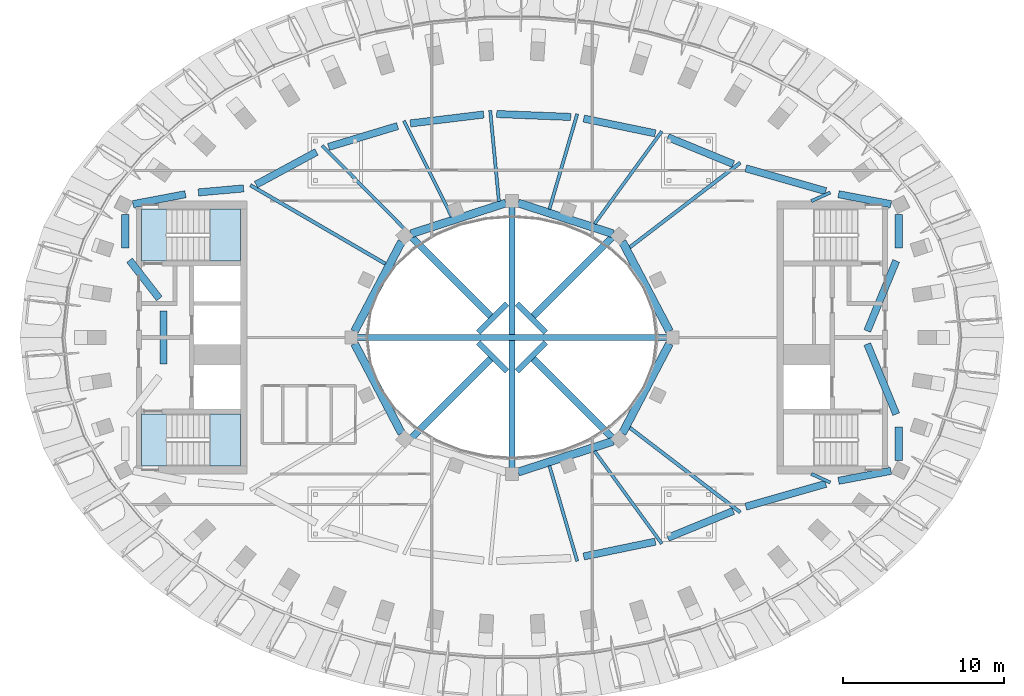
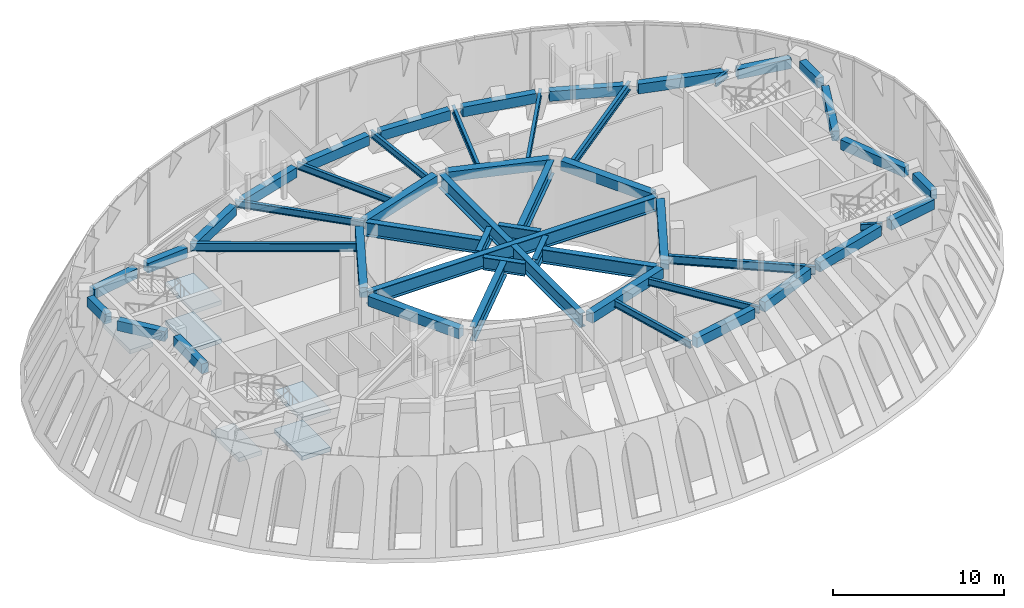
# One storey, part 2 of 13: 51 beams, 6 slabs, 2 elements without a shape of their own.
"""IFC4 building model written with IfcOpenShell, lengths in metres."""

from ifc_helpers import new_model, si_unit, direction, frame, origin, origin_2d, place, context, subcontext, project, spatial, polyline, rectangle, i_section, outline, extrude, material, layer, layer_set, material_profile, profile_set, type_object, element, aggregate, save


model = new_model("IFC4")

# Units and contexts
model_context = context("Model", 3, precision=1e-05, world=origin(), true_north=direction((0.0, 1.0)))
body_context = subcontext(model_context, "Body", "Model", "MODEL_VIEW")
ifc_project = project(units=[si_unit("LENGTHUNIT", "METRE"), si_unit("AREAUNIT", "SQUARE_METRE"), si_unit("VOLUMEUNIT", "CUBIC_METRE"), si_unit("PLANEANGLEUNIT", "RADIAN"), si_unit("MASSUNIT", "GRAM", prefix="KILO")], contexts=[model_context])

# Site, building, storey
site_placement = place(None, origin())
site = spatial("IfcSite", under=ifc_project, at=site_placement, CompositionType="ELEMENT")
building_placement = place(site_placement, origin())
building = spatial("IfcBuilding", under=site, at=building_placement, Name="Noorbagh Ring Tower", CompositionType="ELEMENT")
storey_placement = place(building_placement, frame((0.0, 0.0, 351.0)))
storey = spatial("IfcBuildingStorey", under=building, at=storey_placement, Name="L77", CompositionType="ELEMENT", Elevation=351.0)

# Beams
ifc_material_1 = material(Name="Steel S460", Category="steel")
ifc_material_profile_1 = material_profile(ifc_material_1, i_section(OverallWidth=0.35009765625, OverallDepth=0.89990234375, WebThickness=0.01806640625, FlangeThickness=0.031982421875, at=origin_2d()), Name="PG900x350x18x32")
ifc_profile_set_1 = profile_set([ifc_material_profile_1], Name="Steel S460")
beam_type_1 = type_object("IfcBeamType", Name="STR-HUB-RING-PG900x350x18x32-S460", PredefinedType="BEAM", material=ifc_profile_set_1)
for number, where, z_axis, x_axis, name in (
    (1, (2.100341796875, 0.3037109375, 4.75), (-0.707106781187, 0.707106781187, 0.0), (-0.707106781187, -0.707106781187, 0.0), "Hub ring beam"),
    (2, (-2.100341796875, 0.3037109375, 4.75), (0.707106781187, 0.707106781187, 0.0), (-0.707106781187, 0.707106781187, 0.0), "Hub ring beam"),
    (3, (-2.100341796875, -0.3037109375, 4.75), (0.707106781187, -0.707106781187, 0.0), (0.707106781187, 0.707106781187, 0.0), "Hub ring beam"),
    (4, (2.100341796875, -0.3037109375, 4.75), (-0.707106781187, -0.707106781187, 0.0), (0.707106781187, -0.707106781187, 0.0), "Hub ring beam"),
):
    element("IfcBeam", number, at=place(storey_placement, frame(where, z_axis=z_axis, x_axis=x_axis)), inside=storey, type_object=beam_type_1, Name=name, PredefinedType="BEAM", context=body_context, shape_type="SweptSolid", body=[
        extrude(i_section(OverallWidth=0.35009765625, OverallDepth=0.89990234375, WebThickness=0.01806640625, FlangeThickness=0.031982421875, at=origin_2d()), origin(), (0.0, 0.0, 1.0), 2.540771484375),
    ])
ifc_material_2 = material(Name="Steel S355", Category="steel")
ifc_material_profile_2 = material_profile(ifc_material_2, i_section(OverallWidth=0.199951171875, OverallDepth=0.5, WebThickness=0.01025390625, FlangeThickness=0.01611328125, FilletRadius=0.02099609375, at=origin_2d()), Name="IPE500")
ifc_profile_set_2 = profile_set([ifc_material_profile_2], Name="Steel S355")
beam_type_2 = type_object("IfcBeamType", Name="STR-RAD-IPE500", PredefinedType="BEAM", material=ifc_profile_set_2)
beam_1_placement = place(storey_placement, frame((19.82275390625, 9.03125, 4.949951171875), z_axis=(-0.909980551828, -0.414650931864, 0.0), x_axis=(0.414650931864, -0.909980551828, 0.0)))
element("IfcBeam", 5, at=beam_1_placement, inside=storey, type_object=beam_type_2, Name="L77/bm/RD05", PredefinedType="BEAM", context=body_context, shape_type="SweptSolid", body=[
    extrude(i_section(OverallWidth=0.199951171875, OverallDepth=0.5, WebThickness=0.01025390625, FlangeThickness=0.01611328125, FilletRadius=0.02099609375, at=origin_2d()), origin(), (0.0, 0.0, 1.0), 1.30126953125),
])
beam_2_placement = place(storey_placement, frame((9.3271484375, 12.838623046875, 4.949951171875), z_axis=(-0.587753757296, -0.809039875893, 0.0), x_axis=(0.809039875893, -0.587753757296, 0.0)))
element("IfcBeam", 6, at=beam_2_placement, inside=storey, type_object=beam_type_2, Name="L77/bm/RD09", PredefinedType="BEAM", context=body_context, shape_type="SweptSolid", body=[
    extrude(i_section(OverallWidth=0.199951171875, OverallDepth=0.5, WebThickness=0.01025390625, FlangeThickness=0.01611328125, FilletRadius=0.02099609375, at=origin_2d()), origin(), (0.0, 0.0, 1.0), 7.12158203125),
])
beam_3_placement = place(storey_placement, frame((4.06201171875, 13.9267578125, 4.949951171875), z_axis=(-0.280018186332, -0.959994695466, 0.0), x_axis=(0.959994695466, -0.280018186332, 0.0)))
element("IfcBeam", 7, at=beam_3_placement, inside=storey, type_object=beam_type_2, Name="L77/bm/RD11", PredefinedType="BEAM", context=body_context, shape_type="SweptSolid", body=[
    extrude(i_section(OverallWidth=0.199951171875, OverallDepth=0.5, WebThickness=0.01025390625, FlangeThickness=0.01611328125, FilletRadius=0.02099609375, at=origin_2d()), origin(), (0.0, 0.0, 1.0), 6.18603515625),
])
beam_4_placement = place(storey_placement, frame((-1.358154296875, 14.14306640625, 4.949951171875), z_axis=(0.095580739137, -0.995421680649, 0.0), x_axis=(0.995421680649, 0.095580739137, 0.0)))
element("IfcBeam", 8, at=beam_4_placement, inside=storey, type_object=beam_type_2, Name="L77/bm/RD13", PredefinedType="BEAM", context=body_context, shape_type="SweptSolid", body=[
    extrude(i_section(OverallWidth=0.199951171875, OverallDepth=0.5, WebThickness=0.01025390625, FlangeThickness=0.01611328125, FilletRadius=0.02099609375, at=origin_2d()), origin(), (0.0, 0.0, 1.0), 5.6884765625),
])
beam_5_placement = place(storey_placement, frame((-6.7275390625, 13.4931640625, 4.949951171875), z_axis=(0.446173296336, -0.894946584795, 0.0), x_axis=(0.894946584795, 0.446173296336, 0.0)))
element("IfcBeam", 9, at=beam_5_placement, inside=storey, type_object=beam_type_2, Name="L77/bm/RD15", PredefinedType="BEAM", context=body_context, shape_type="SweptSolid", body=[
    extrude(i_section(OverallWidth=0.199951171875, OverallDepth=0.5, WebThickness=0.01025390625, FlangeThickness=0.01611328125, FilletRadius=0.02099609375, at=origin_2d()), origin(), (0.0, 0.0, 1.0), 6.6669921875),
])
beam_6_placement = place(storey_placement, frame((-11.827880859375, 11.95947265625, 4.949951171875), z_axis=(0.703176112375, -0.711015720631, 0.0), x_axis=(0.711015720631, 0.703176112375, 0.0)))
element("IfcBeam", 10, at=beam_6_placement, inside=storey, type_object=beam_type_2, Name="L77/bm/RD17", PredefinedType="BEAM", context=body_context, shape_type="SweptSolid", body=[
    extrude(i_section(OverallWidth=0.199951171875, OverallDepth=0.5, WebThickness=0.01025390625, FlangeThickness=0.01611328125, FilletRadius=0.02099609375, at=origin_2d()), origin(), (0.0, 0.0, 1.0), 7.972412109375),
])
beam_7_placement = place(storey_placement, frame((4.06201171875, -13.9267578125, 4.949951171875), z_axis=(-0.280018186332, 0.959994695466, 0.0), x_axis=(-0.959994695466, -0.280018186332, 0.0)))
element("IfcBeam", 11, at=beam_7_placement, inside=storey, type_object=beam_type_2, Name="L77/bm/RD37", PredefinedType="BEAM", context=body_context, shape_type="SweptSolid", body=[
    extrude(i_section(OverallWidth=0.199951171875, OverallDepth=0.5, WebThickness=0.01025390625, FlangeThickness=0.01611328125, FilletRadius=0.02099609375, at=origin_2d()), origin(), (0.0, 0.0, 1.0), 6.18603515625),
])
beam_8_placement = place(storey_placement, frame((9.3271484375, -12.838623046875, 4.949951171875), z_axis=(-0.587753757296, 0.809039875893, 0.0), x_axis=(-0.809039875893, -0.587753757296, 0.0)))
element("IfcBeam", 12, at=beam_8_placement, inside=storey, type_object=beam_type_2, Name="L77/bm/RD39", PredefinedType="BEAM", context=body_context, shape_type="SweptSolid", body=[
    extrude(i_section(OverallWidth=0.199951171875, OverallDepth=0.5, WebThickness=0.01025390625, FlangeThickness=0.01611328125, FilletRadius=0.02099609375, at=origin_2d()), origin(), (0.0, 0.0, 1.0), 7.12158203125),
])
beam_9_placement = place(storey_placement, frame((19.82275390625, -9.03125, 4.949951171875), z_axis=(-0.909980551828, 0.414650931864, 0.0), x_axis=(-0.414650931864, -0.909980551828, 0.0)))
element("IfcBeam", 13, at=beam_9_placement, inside=storey, type_object=beam_type_2, Name="L77/bm/RD43", PredefinedType="BEAM", context=body_context, shape_type="SweptSolid", body=[
    extrude(i_section(OverallWidth=0.199951171875, OverallDepth=0.5, WebThickness=0.01025390625, FlangeThickness=0.01611328125, FilletRadius=0.02099609375, at=origin_2d()), origin(), (0.0, 0.0, 1.0), 1.30126953125),
])
ifc_material_3 = material(Name="Steel S355", Category="steel")
ifc_material_profile_3 = material_profile(ifc_material_3, i_section(OverallWidth=0.219970703125, OverallDepth=0.60009765625, WebThickness=0.011962890625, FlangeThickness=0.01904296875, FilletRadius=0.02392578125, at=origin_2d()), Name="IPE600")
ifc_profile_set_3 = profile_set([ifc_material_profile_3], Name="Steel S355")
beam_type_3 = type_object("IfcBeamType", Name="STR-RAD-IPE600", PredefinedType="BEAM", material=ifc_profile_set_3)
beam_10_placement = place(storey_placement, frame((14.21923828125, 10.88720703125, 4.89990234375), z_axis=(-0.79398265631, -0.60794040948, 0.0), x_axis=(0.60794040948, -0.79398265631, 0.0)))
element("IfcBeam", 14, at=beam_10_placement, inside=storey, type_object=beam_type_3, Name="L77/bm/RD07", PredefinedType="BEAM", context=body_context, shape_type="SweptSolid", body=[
    extrude(i_section(OverallWidth=0.219970703125, OverallDepth=0.60009765625, WebThickness=0.011962890625, FlangeThickness=0.01904296875, FilletRadius=0.02392578125, at=origin_2d()), origin(), (0.0, 0.0, 1.0), 8.684814453125),
])
beam_11_placement = place(storey_placement, frame((-16.293212890625, 9.484375, 4.89990234375), z_axis=(0.864242476598, -0.503075483047, 0.0), x_axis=(0.503075483047, 0.864242476598, 0.0)))
element("IfcBeam", 15, at=beam_11_placement, inside=storey, type_object=beam_type_3, Name="L77/bm/RD19", PredefinedType="BEAM", context=body_context, shape_type="SweptSolid", body=[
    extrude(i_section(OverallWidth=0.219970703125, OverallDepth=0.60009765625, WebThickness=0.011962890625, FlangeThickness=0.01904296875, FilletRadius=0.02392578125, at=origin_2d()), origin(), (0.0, 0.0, 1.0), 9.7529296875),
])
beam_12_placement = place(storey_placement, frame((14.21923828125, -10.88720703125, 4.89990234375), z_axis=(-0.79398265631, 0.60794040948, 0.0), x_axis=(-0.60794040948, -0.79398265631, 0.0)))
element("IfcBeam", 16, at=beam_12_placement, inside=storey, type_object=beam_type_3, Name="L77/bm/RD41", PredefinedType="BEAM", context=body_context, shape_type="SweptSolid", body=[
    extrude(i_section(OverallWidth=0.219970703125, OverallDepth=0.60009765625, WebThickness=0.011962890625, FlangeThickness=0.01904296875, FilletRadius=0.02392578125, at=origin_2d()), origin(), (0.0, 0.0, 1.0), 8.684814453125),
])
ifc_material_4 = material(Name="Concrete C40/50", Category="concrete")
ifc_material_profile_4 = material_profile(ifc_material_4, rectangle(XDim=0.5, YDim=0.699951171875, at=origin_2d()), Name="RC500x700")
ifc_profile_set_4 = profile_set([ifc_material_profile_4], Name="Concrete C40/50")
beam_type_4 = type_object("IfcBeamType", Name="STR-RB-RC500x700-C40-50", PredefinedType="BEAM", material=ifc_profile_set_4)
beam_13_placement = place(storey_placement, frame((9.8076171875, 0.38232421875, 4.85009765625), z_axis=(-0.464943021964, 0.885340604698, 0.0), x_axis=(-0.885340604698, -0.464943021964, 0.0)))
element("IfcBeam", 17, at=beam_13_placement, inside=storey, type_object=beam_type_4, Name="L77/bm/RG01", PredefinedType="BEAM", context=body_context, shape_type="SweptSolid", body=[
    extrude(rectangle(XDim=0.5, YDim=0.699951171875, at=origin_2d()), origin(), (0.0, 0.0, 1.0), 6.313720703125),
])
for number, where, z_axis, x_axis, name in (
    (18, (6.286865234375, 6.462158203125, 4.85009765625), (-0.951150444931, 0.308727762126, 0.0), (-0.308727762126, -0.951150444931, 0.0), "L77/bm/RG03"),
    (19, (-0.380859375, 8.379150390625, 4.85009765625), (-0.951150444931, -0.308727762126, 0.0), (0.308727762126, -0.951150444931, 0.0), "L77/bm/RG05"),
):
    element("IfcBeam", number, at=place(storey_placement, frame(where, z_axis=z_axis, x_axis=x_axis)), inside=storey, type_object=beam_type_4, Name=name, PredefinedType="BEAM", context=body_context, shape_type="SweptSolid", body=[
        extrude(rectangle(XDim=0.5, YDim=0.699951171875, at=origin_2d()), origin(), (0.0, 0.0, 1.0), 6.209228515625),
    ])
for number, where, z_axis, x_axis, name in (
    (20, (-6.8720703125, 5.97216796875, 4.85009765625), (-0.464943021964, -0.885340604698, 0.0), (0.885340604698, -0.464943021964, 0.0), "L77/bm/RG07"),
    (21, (-9.8076171875, -0.38232421875, 4.85009765625), (0.464943021964, -0.885340604698, 0.0), (0.885340604698, 0.464943021964, 0.0), "L77/bm/RG09"),
):
    element("IfcBeam", number, at=place(storey_placement, frame(where, z_axis=z_axis, x_axis=x_axis)), inside=storey, type_object=beam_type_4, Name=name, PredefinedType="BEAM", context=body_context, shape_type="SweptSolid", body=[
        extrude(rectangle(XDim=0.5, YDim=0.699951171875, at=origin_2d()), origin(), (0.0, 0.0, 1.0), 6.313720703125),
    ])
beam_14_placement = place(storey_placement, frame((0.380859375, -8.379150390625, 4.85009765625), z_axis=(0.951150444931, 0.308727762126, 0.0), x_axis=(-0.308727762126, 0.951150444931, 0.0)))
element("IfcBeam", 22, at=beam_14_placement, inside=storey, type_object=beam_type_4, Name="L77/bm/RG13", PredefinedType="BEAM", context=body_context, shape_type="SweptSolid", body=[
    extrude(rectangle(XDim=0.5, YDim=0.699951171875, at=origin_2d()), origin(), (0.0, 0.0, 1.0), 6.209228515625),
])
beam_15_placement = place(storey_placement, frame((6.8720703125, -5.97216796875, 4.85009765625), z_axis=(0.464943021964, 0.885340604698, 0.0), x_axis=(-0.885340604698, 0.464943021964, 0.0)))
element("IfcBeam", 23, at=beam_15_placement, inside=storey, type_object=beam_type_4, Name="L77/bm/RG15", PredefinedType="BEAM", context=body_context, shape_type="SweptSolid", body=[
    extrude(rectangle(XDim=0.5, YDim=0.699951171875, at=origin_2d()), origin(), (0.0, 0.0, 1.0), 6.313720703125),
])
ifc_material_5 = material(Name="Concrete C40/50", Category="concrete")
ifc_material_profile_5 = material_profile(ifc_material_5, rectangle(XDim=0.449951171875, YDim=0.699951171875, at=origin_2d()), Name="RC450x700")
ifc_profile_set_5 = profile_set([ifc_material_profile_5], Name="Concrete C40/50")
beam_type_5 = type_object("IfcBeamType", Name="STR-SB-RC450x700-C40-50", PredefinedType="BEAM", material=ifc_profile_set_5)
beam_16_placement = place(storey_placement, frame((22.1240234375, 0.406494140625, 4.85009765625), z_axis=(0.381540251246, 0.924352225442, 0.0), x_axis=(-0.924352225442, 0.381540251246, 0.0)))
element("IfcBeam", 24, at=beam_16_placement, inside=storey, type_object=beam_type_5, Name="L77/bm/SP01", PredefinedType="BEAM", context=body_context, shape_type="SweptSolid", body=[
    extrude(rectangle(XDim=0.449951171875, YDim=0.699951171875, at=origin_2d()), origin(), (0.0, 0.0, 1.0), 4.7216796875),
])
beam_17_placement = place(storey_placement, frame((24.080078125, 5.581298828125, 4.85009765625), z_axis=(0.0, 1.0, 0.0), x_axis=(-1.0, 0.0, 0.0)))
element("IfcBeam", 25, at=beam_17_placement, inside=storey, type_object=beam_type_5, Name="L77/bm/SP03", PredefinedType="BEAM", context=body_context, shape_type="SweptSolid", body=[
    extrude(rectangle(XDim=0.449951171875, YDim=0.699951171875, at=origin_2d()), origin(), (0.0, 0.0, 1.0), 2.07177734375),
])
beam_18_placement = place(storey_placement, frame((23.6064453125, 8.303466796875, 4.85009765625), z_axis=(-0.982485136556, 0.186340968247, 0.0), x_axis=(-0.186340968247, -0.982485136556, 0.0)))
element("IfcBeam", 26, at=beam_18_placement, inside=storey, type_object=beam_type_5, Name="L77/bm/SP04", PredefinedType="BEAM", context=body_context, shape_type="SweptSolid", body=[
    extrude(rectangle(XDim=0.449951171875, YDim=0.699951171875, at=origin_2d()), origin(), (0.0, 0.0, 1.0), 3.331787109375),
])
beam_19_placement = place(storey_placement, frame((19.54150390625, 9.1123046875, 4.85009765625), z_axis=(-0.961582592243, 0.27451578879, 0.0), x_axis=(-0.27451578879, -0.961582592243, 0.0)))
element("IfcBeam", 27, at=beam_19_placement, inside=storey, type_object=beam_type_5, Name="L77/bm/SP05", PredefinedType="BEAM", context=body_context, shape_type="SweptSolid", body=[
    extrude(rectangle(XDim=0.449951171875, YDim=0.699951171875, at=origin_2d()), origin(), (0.0, 0.0, 1.0), 5.18212890625),
])
beam_20_placement = place(storey_placement, frame((13.781982421875, 10.803466796875, 4.85009765625), z_axis=(-0.92527231731, 0.379303491705, 0.0), x_axis=(-0.379303491705, -0.92527231731, 0.0)))
element("IfcBeam", 28, at=beam_20_placement, inside=storey, type_object=beam_type_5, Name="L77/bm/SP07", PredefinedType="BEAM", context=body_context, shape_type="SweptSolid", body=[
    extrude(rectangle(XDim=0.449951171875, YDim=0.699951171875, at=origin_2d()), origin(), (0.0, 0.0, 1.0), 4.40771484375),
])
beam_21_placement = place(storey_placement, frame((8.928955078125, 12.712158203125, 4.85009765625), z_axis=(-0.979208361256, 0.20285705619, 0.0), x_axis=(-0.20285705619, -0.979208361256, 0.0)))
element("IfcBeam", 29, at=beam_21_placement, inside=storey, type_object=beam_type_5, Name="L77/bm/SP09", PredefinedType="BEAM", context=body_context, shape_type="SweptSolid", body=[
    extrude(rectangle(XDim=0.449951171875, YDim=0.699951171875, at=origin_2d()), origin(), (0.0, 0.0, 1.0), 4.558837890625),
])
beam_22_placement = place(storey_placement, frame((3.660888671875, 13.735595703125, 4.85009765625), z_axis=(-0.999205427793, 0.039856154714, 0.0), x_axis=(-0.039856154714, -0.999205427793, 0.0)))
element("IfcBeam", 30, at=beam_22_placement, inside=storey, type_object=beam_type_5, Name="L77/bm/SP11", PredefinedType="BEAM", context=body_context, shape_type="SweptSolid", body=[
    extrude(rectangle(XDim=0.449951171875, YDim=0.699951171875, at=origin_2d()), origin(), (0.0, 0.0, 1.0), 4.61865234375),
])
beam_23_placement = place(storey_placement, frame((-1.763427734375, 13.88720703125, 4.85009765625), z_axis=(-0.99272609362, -0.120394779976, 0.0), x_axis=(0.120394779976, -0.99272609362, 0.0)))
element("IfcBeam", 31, at=beam_23_placement, inside=storey, type_object=beam_type_5, Name="L77/bm/SP13", PredefinedType="BEAM", context=body_context, shape_type="SweptSolid", body=[
    extrude(rectangle(XDim=0.449951171875, YDim=0.699951171875, at=origin_2d()), origin(), (0.0, 0.0, 1.0), 4.59912109375),
])
beam_24_placement = place(storey_placement, frame((-7.121826171875, 13.167236328125, 4.85009765625), z_axis=(-0.957430830059, -0.288662788827, 0.0), x_axis=(0.288662788827, -0.957430830059, 0.0)))
element("IfcBeam", 32, at=beam_24_placement, inside=storey, type_object=beam_type_5, Name="L77/bm/SP15", PredefinedType="BEAM", context=body_context, shape_type="SweptSolid", body=[
    extrude(rectangle(XDim=0.449951171875, YDim=0.699951171875, at=origin_2d()), origin(), (0.0, 0.0, 1.0), 4.49609375),
])
beam_25_placement = place(storey_placement, frame((-12.174560546875, 11.557861328125, 4.85009765625), z_axis=(-0.879504728463, -0.47589014763, 0.0), x_axis=(0.47589014763, -0.879504728463, 0.0)))
element("IfcBeam", 33, at=beam_25_placement, inside=storey, type_object=beam_type_5, Name="L77/bm/SP17", PredefinedType="BEAM", context=body_context, shape_type="SweptSolid", body=[
    extrude(rectangle(XDim=0.449951171875, YDim=0.699951171875, at=origin_2d()), origin(), (0.0, 0.0, 1.0), 4.283203125),
])
beam_26_placement = place(storey_placement, frame((-16.718017578125, 9.285400390625, 4.85009765625), z_axis=(-0.996088552259, -0.088360602414, 0.0), x_axis=(0.088360602414, -0.996088552259, 0.0)))
element("IfcBeam", 34, at=beam_26_placement, inside=storey, type_object=beam_type_5, Name="L77/bm/SP19", PredefinedType="BEAM", context=body_context, shape_type="SweptSolid", body=[
    extrude(rectangle(XDim=0.449951171875, YDim=0.699951171875, at=origin_2d()), origin(), (0.0, 0.0, 1.0), 2.82373046875),
])
beam_27_placement = place(storey_placement, frame((-20.3330078125, 8.92431640625, 4.85009765625), z_axis=(-0.982485136556, -0.186340968247, 0.0), x_axis=(0.186340968247, -0.982485136556, 0.0)))
element("IfcBeam", 35, at=beam_27_placement, inside=storey, type_object=beam_type_5, Name="L77/bm/SP20", PredefinedType="BEAM", context=body_context, shape_type="SweptSolid", body=[
    extrude(rectangle(XDim=0.449951171875, YDim=0.699951171875, at=origin_2d()), origin(), (0.0, 0.0, 1.0), 3.331787109375),
])
beam_28_placement = place(storey_placement, frame((-24.080078125, 7.653076171875, 4.85009765625), z_axis=(0.0, -1.0, 0.0), x_axis=(1.0, 0.0, 0.0)))
element("IfcBeam", 36, at=beam_28_placement, inside=storey, type_object=beam_type_5, Name="L77/bm/SP21", PredefinedType="BEAM", context=body_context, shape_type="SweptSolid", body=[
    extrude(rectangle(XDim=0.449951171875, YDim=0.699951171875, at=origin_2d()), origin(), (0.0, 0.0, 1.0), 2.07177734375),
])
beam_29_placement = place(storey_placement, frame((-23.81982421875, 4.81103515625, 4.85009765625), z_axis=(0.613873534191, -0.789404385609, 0.0), x_axis=(0.789404385609, 0.613873534191, 0.0)))
element("IfcBeam", 37, at=beam_29_placement, inside=storey, type_object=beam_type_5, Name="L77/bm/SP22", PredefinedType="BEAM", context=body_context, shape_type="SweptSolid", body=[
    extrude(rectangle(XDim=0.449951171875, YDim=0.699951171875, at=origin_2d()), origin(), (0.0, 0.0, 1.0), 3.023681640625),
])
beam_30_placement = place(storey_placement, frame((-21.705322265625, 1.65185546875, 4.85009765625), z_axis=(0.0, -1.0, 0.0), x_axis=(1.0, 0.0, 0.0)))
element("IfcBeam", 38, at=beam_30_placement, inside=storey, type_object=beam_type_5, Name="L77/bm/SP23", PredefinedType="BEAM", context=body_context, shape_type="SweptSolid", body=[
    extrude(rectangle(XDim=0.449951171875, YDim=0.699951171875, at=origin_2d()), origin(), (0.0, 0.0, 1.0), 3.3037109375),
])
beam_31_placement = place(storey_placement, frame((4.46484375, -13.636962890625, 4.85009765625), z_axis=(0.979208361256, 0.20285705619, 0.0), x_axis=(-0.20285705619, 0.979208361256, 0.0)))
element("IfcBeam", 39, at=beam_31_placement, inside=storey, type_object=beam_type_5, Name="L77/bm/SP37", PredefinedType="BEAM", context=body_context, shape_type="SweptSolid", body=[
    extrude(rectangle(XDim=0.449951171875, YDim=0.699951171875, at=origin_2d()), origin(), (0.0, 0.0, 1.0), 4.558837890625),
])
beam_32_placement = place(storey_placement, frame((9.70361328125, -12.475341796875, 4.85009765625), z_axis=(0.92527231731, 0.379303491705, 0.0), x_axis=(-0.379303491705, 0.92527231731, 0.0)))
element("IfcBeam", 40, at=beam_32_placement, inside=storey, type_object=beam_type_5, Name="L77/bm/SP39", PredefinedType="BEAM", context=body_context, shape_type="SweptSolid", body=[
    extrude(rectangle(XDim=0.449951171875, YDim=0.699951171875, at=origin_2d()), origin(), (0.0, 0.0, 1.0), 4.40771484375),
])
beam_33_placement = place(storey_placement, frame((14.558349609375, -10.534912109375, 4.85009765625), z_axis=(0.961582592243, 0.27451578879, 0.0), x_axis=(-0.27451578879, 0.961582592243, 0.0)))
element("IfcBeam", 41, at=beam_33_placement, inside=storey, type_object=beam_type_5, Name="L77/bm/SP41", PredefinedType="BEAM", context=body_context, shape_type="SweptSolid", body=[
    extrude(rectangle(XDim=0.449951171875, YDim=0.699951171875, at=origin_2d()), origin(), (0.0, 0.0, 1.0), 5.18212890625),
])
beam_34_placement = place(storey_placement, frame((20.3330078125, -8.92431640625, 4.85009765625), z_axis=(0.982485136556, 0.186340968247, 0.0), x_axis=(-0.186340968247, 0.982485136556, 0.0)))
element("IfcBeam", 42, at=beam_34_placement, inside=storey, type_object=beam_type_5, Name="L77/bm/SP43", PredefinedType="BEAM", context=body_context, shape_type="SweptSolid", body=[
    extrude(rectangle(XDim=0.449951171875, YDim=0.699951171875, at=origin_2d()), origin(), (0.0, 0.0, 1.0), 3.331787109375),
])
beam_35_placement = place(storey_placement, frame((24.080078125, -7.653076171875, 4.85009765625), z_axis=(0.0, 1.0, 0.0), x_axis=(-1.0, 0.0, 0.0)))
element("IfcBeam", 43, at=beam_35_placement, inside=storey, type_object=beam_type_5, Name="L77/bm/SP44", PredefinedType="BEAM", context=body_context, shape_type="SweptSolid", body=[
    extrude(rectangle(XDim=0.449951171875, YDim=0.699951171875, at=origin_2d()), origin(), (0.0, 0.0, 1.0), 2.07177734375),
])
beam_36_placement = place(storey_placement, frame((23.925537109375, -4.77099609375, 4.85009765625), z_axis=(-0.381540251246, 0.924352225442, 0.0), x_axis=(-0.924352225442, -0.381540251246, 0.0)))
element("IfcBeam", 44, at=beam_36_placement, inside=storey, type_object=beam_type_5, Name="L77/bm/SP45", PredefinedType="BEAM", context=body_context, shape_type="SweptSolid", body=[
    extrude(rectangle(XDim=0.449951171875, YDim=0.699951171875, at=origin_2d()), origin(), (0.0, 0.0, 1.0), 4.7216796875),
])
ifc_material_6 = material(Name="Steel S460", Category="steel")
ifc_material_profile_6 = material_profile(ifc_material_6, i_section(OverallWidth=0.39990234375, OverallDepth=1.0, WebThickness=0.02001953125, FlangeThickness=0.035888671875, at=origin_2d()), Name="PG1000x400x20x36")
ifc_profile_set_6 = profile_set([ifc_material_profile_6], Name="Steel S460")
beam_type_6 = type_object("IfcBeamType", Name="STR-SPOKE-GIRDER-PG1000x400x20x36-S460", PredefinedType="BEAM", material=ifc_profile_set_6)
beam_37_placement = place(storey_placement, frame((-9.77001953125, 0.0, 4.699951171875), z_axis=(1.0, 0.0, 0.0), x_axis=(0.0, 1.0, 0.0)))
element("IfcBeam", 45, at=beam_37_placement, inside=storey, type_object=beam_type_6, Name="Hub spoke girder", PredefinedType="BEAM", context=body_context, shape_type="SweptSolid", body=[
    extrude(i_section(OverallWidth=0.39990234375, OverallDepth=1.0, WebThickness=0.02001953125, FlangeThickness=0.035888671875, at=origin_2d()), origin(), (0.0, 0.0, 1.0), 19.5400390625),
])
for number, where, z_axis, x_axis, name in (
    (46, (0.0, 0.179931640625, 4.699951171875), (0.0, 1.0, 0.0), (-1.0, 0.0, 0.0), "Hub spoke girder"),
    (47, (0.0, -0.179931640625, 4.699951171875), (0.0, -1.0, 0.0), (1.0, 0.0, 0.0), "Hub spoke girder"),
):
    element("IfcBeam", number, at=place(storey_placement, frame(where, z_axis=z_axis, x_axis=x_axis)), inside=storey, type_object=beam_type_6, Name=name, PredefinedType="BEAM", context=body_context, shape_type="SweptSolid", body=[
        extrude(i_section(OverallWidth=0.39990234375, OverallDepth=1.0, WebThickness=0.02001953125, FlangeThickness=0.035888671875, at=origin_2d()), origin(), (0.0, 0.0, 1.0), 8.090087890625),
    ])
for number, where, z_axis, x_axis, name in (
    (48, (1.311767578125, 1.311767578125, 4.699951171875), (0.707106781187, 0.707106781187, 0.0), (-0.707106781187, 0.707106781187, 0.0), "Hub spoke girder"),
    (49, (-1.311767578125, 1.311767578125, 4.699951171875), (-0.707106781187, 0.707106781187, 0.0), (-0.707106781187, -0.707106781187, 0.0), "Hub spoke girder"),
    (50, (-1.311767578125, -1.311767578125, 4.699951171875), (-0.707106781187, -0.707106781187, 0.0), (0.707106781187, -0.707106781187, 0.0), "Hub spoke girder"),
    (51, (1.311767578125, -1.311767578125, 4.699951171875), (0.707106781187, -0.707106781187, 0.0), (0.707106781187, 0.707106781187, 0.0), "Hub spoke girder"),
):
    element("IfcBeam", number, at=place(storey_placement, frame(where, z_axis=z_axis, x_axis=x_axis)), inside=storey, type_object=beam_type_6, Name=name, PredefinedType="BEAM", context=body_context, shape_type="SweptSolid", body=[
        extrude(i_section(OverallWidth=0.39990234375, OverallDepth=1.0, WebThickness=0.02001953125, FlangeThickness=0.035888671875, at=origin_2d()), origin(), (0.0, 0.0, 1.0), 7.02685546875),
    ])

# Stair, slabs
ifc_material_7 = material(Name="Concrete C40/50", Category="concrete")
stair_type = type_object("IfcStairType", Name="CORE-STAIR", PredefinedType="HALF_TURN_STAIR", material=ifc_material_7)
stair_1_placement = place(storey_placement, origin())
stair_1 = element("IfcStair", 52, at=stair_1_placement, inside=storey, type_object=stair_type, Name="L77 Exit stair ST1", PredefinedType="HALF_TURN_STAIR")
ifc_material_8 = material(Name="Concrete C40/50", Category="concrete")
ifc_layer = layer(ifc_material_8, 0.300048828125)
ifc_layer_set = layer_set([ifc_layer], Name="Concrete C40/50")
slab_type = type_object("IfcSlabType", Name="CORE-STAIR-LANDING", PredefinedType="LANDING", material=ifc_layer_set)
slab_1_placement = place(storey_placement, frame((0.0, 0.0, 1.074951171875)))
slab_1 = element("IfcSlab", 53, at=slab_1_placement, type_object=slab_type, Name="ST1 landing 1", PredefinedType="LANDING", context=body_context, shape_type="SweptSolid", body=[
    extrude(outline(polyline([(-18.81005859375, 4.75), (-16.89990234375, 4.75), (-16.89990234375, 8.0), (-18.81005859375, 8.0), (-18.81005859375, 4.75)])), origin(), (0.0, 0.0, 1.0), 0.300048828125),
])
slab_2_placement = place(storey_placement, frame((0.0, 0.0, 2.449951171875)))
slab_2 = element("IfcSlab", 54, at=slab_2_placement, type_object=slab_type, Name="ST1 landing 2", PredefinedType="LANDING", context=body_context, shape_type="SweptSolid", body=[
    extrude(outline(polyline([(-23.080078125, 4.75), (-21.530029296875, 4.75), (-21.530029296875, 8.0), (-23.080078125, 8.0), (-23.080078125, 4.75)])), origin(), (0.0, 0.0, 1.0), 0.300048828125),
])
slab_3_placement = place(storey_placement, frame((0.0, 0.0, 3.824951171875)))
slab_3 = element("IfcSlab", 55, at=slab_3_placement, type_object=slab_type, Name="ST1 landing 3", PredefinedType="LANDING", context=body_context, shape_type="SweptSolid", body=[
    extrude(outline(polyline([(-18.81005859375, 4.75), (-16.89990234375, 4.75), (-16.89990234375, 8.0), (-18.81005859375, 8.0), (-18.81005859375, 4.75)])), origin(), (0.0, 0.0, 1.0), 0.300048828125),
])
aggregate(stair_1, [slab_1, slab_2, slab_3])

stair_2_placement = place(storey_placement, origin())
stair_2 = element("IfcStair", 56, at=stair_2_placement, inside=storey, type_object=stair_type, Name="L77 Exit stair ST2", PredefinedType="HALF_TURN_STAIR")
slab_4_placement = place(storey_placement, frame((0.0, 0.0, 1.074951171875)))
slab_4 = element("IfcSlab", 57, at=slab_4_placement, type_object=slab_type, Name="ST2 landing 1", PredefinedType="LANDING", context=body_context, shape_type="SweptSolid", body=[
    extrude(outline(polyline([(-18.81005859375, -8.0), (-16.89990234375, -8.0), (-16.89990234375, -4.75), (-18.81005859375, -4.75), (-18.81005859375, -8.0)])), origin(), (0.0, 0.0, 1.0), 0.300048828125),
])
slab_5_placement = place(storey_placement, frame((0.0, 0.0, 2.449951171875)))
slab_5 = element("IfcSlab", 58, at=slab_5_placement, type_object=slab_type, Name="ST2 landing 2", PredefinedType="LANDING", context=body_context, shape_type="SweptSolid", body=[
    extrude(outline(polyline([(-23.080078125, -8.0), (-21.530029296875, -8.0), (-21.530029296875, -4.75), (-23.080078125, -4.75), (-23.080078125, -8.0)])), origin(), (0.0, 0.0, 1.0), 0.300048828125),
])
slab_6_placement = place(storey_placement, frame((0.0, 0.0, 3.824951171875)))
slab_6 = element("IfcSlab", 59, at=slab_6_placement, type_object=slab_type, Name="ST2 landing 3", PredefinedType="LANDING", context=body_context, shape_type="SweptSolid", body=[
    extrude(outline(polyline([(-18.81005859375, -8.0), (-16.89990234375, -8.0), (-16.89990234375, -4.75), (-18.81005859375, -4.75), (-18.81005859375, -8.0)])), origin(), (0.0, 0.0, 1.0), 0.300048828125),
])
aggregate(stair_2, [slab_4, slab_5, slab_6])

save(model, "model.ifc")
